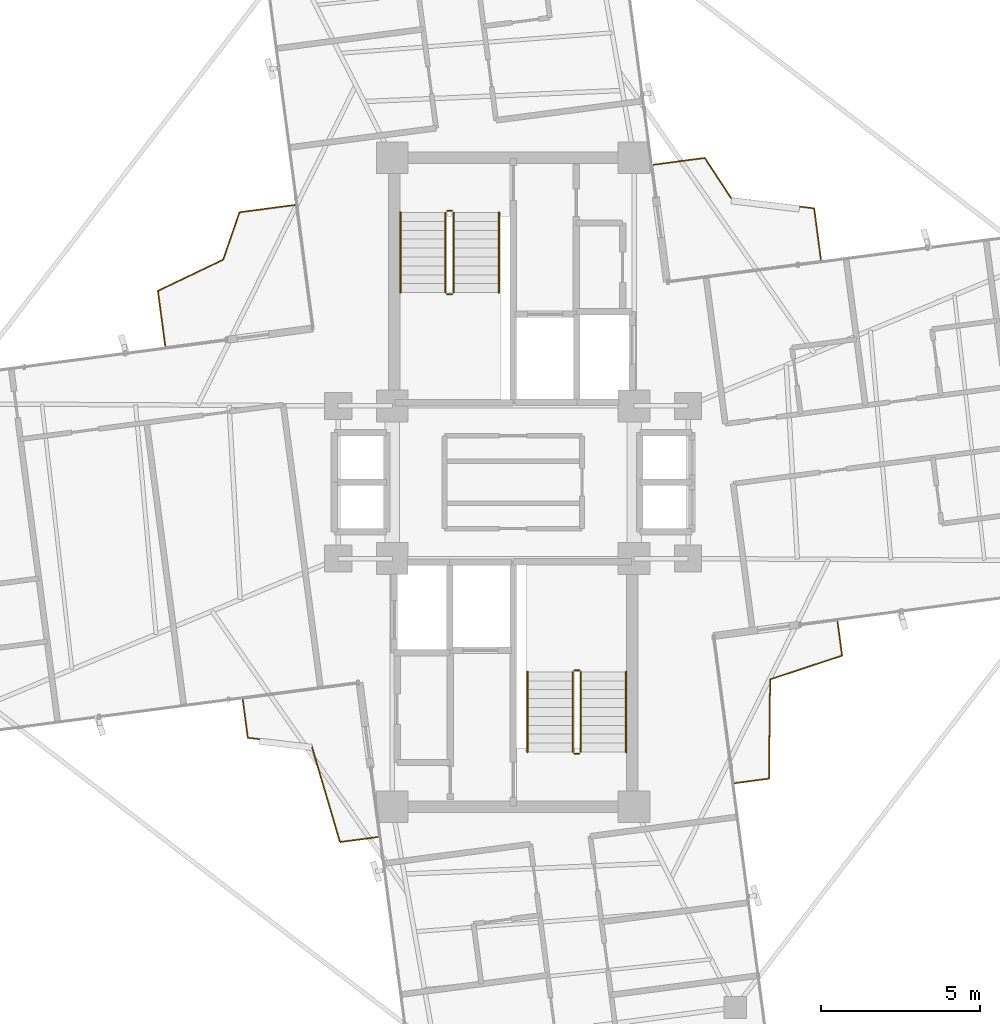
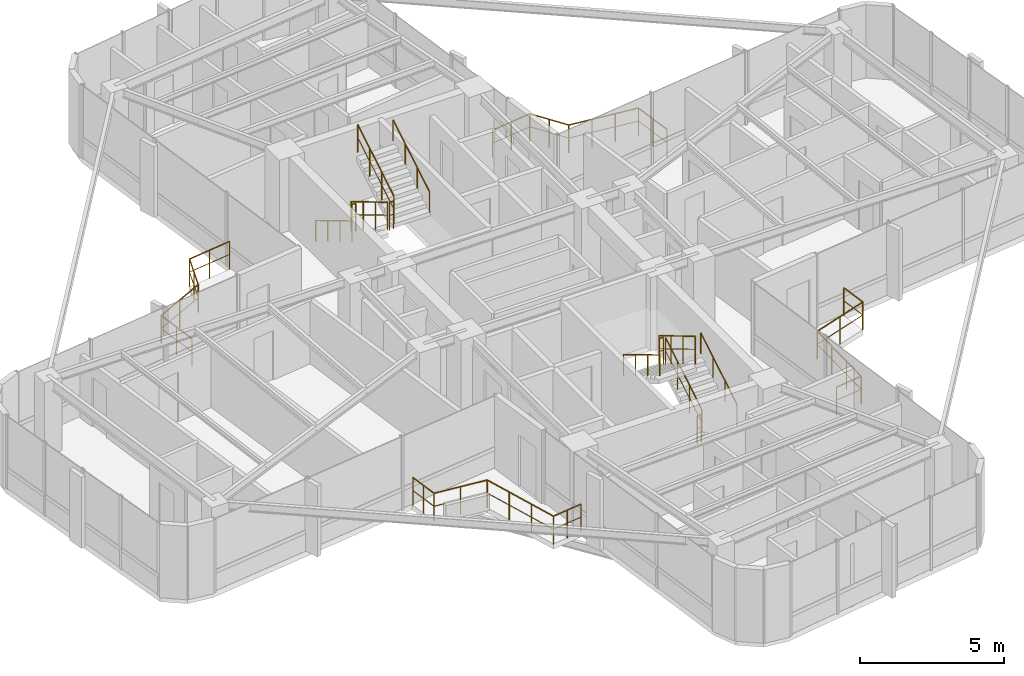
# One storey, part 22 of 22: 16 railings.
"""IFC4 building model written with IfcOpenShell, lengths in metres."""

import ifcopenshell
import ifcopenshell.guid

model = None  # the IFC model being written
_history = None  # IfcOwnerHistory: only IFC2X3 demands one
_inside = {}  # id of a spatial element -> (the spatial element, [elements in it])
_under = {}  # id of a project, library or spatial element -> (it, [spatial elements below it])
_declared = {}  # id of a project -> (the project, [libraries it declares])
_typed = {}  # id of a type object -> (the type object, [elements of that type])
_made_of = {}  # id of a material, layer set ... -> (it, [elements and type objects made of it])


def new_model(schema):
    """Start an empty IFC model of exactly this schema.

    Asked for "IFC4X3", IfcOpenShell would pick the latest addendum, in which some entities
    have other attributes; the version numbers below select the first issue.
    IFC2X3 requires an IfcOwnerHistory on every rooted entity: one is made here for all.
    """
    global model, _history
    if schema == "IFC4X3":
        model = ifcopenshell.file(schema_version=(4, 3, 0, 0))
    else:
        model = ifcopenshell.file(schema=schema)
    _inside.clear()
    _under.clear()
    _declared.clear()
    _typed.clear()
    _made_of.clear()
    _history = None
    if model.schema == "IFC2X3":
        org = make("IfcOrganization", Name="unknown")
        user = make(
            "IfcPersonAndOrganization",
            ThePerson=make("IfcPerson", FamilyName="unknown"),
            TheOrganization=org,
        )
        app = make(
            "IfcApplication",
            ApplicationDeveloper=org,
            Version="unknown",
            ApplicationFullName="unknown",
            ApplicationIdentifier="unknown",
        )
        _history = make(
            "IfcOwnerHistory",
            OwningUser=user,
            OwningApplication=app,
            ChangeAction="ADDED",
            CreationDate=0,
        )
    return model


def make(cls, **values):
    """One entity of the class cls with the attributes given. An attribute that is None is left unset."""
    return model.create_entity(
        cls, **{name: value for name, value in values.items() if value is not None}
    )


def rooted(cls, **values):
    """An entity with a GlobalId (a new one), such as an element, a storey or a relation."""
    return make(cls, GlobalId=ifcopenshell.guid.new(), OwnerHistory=_history, **values)


def si_unit(unit_type, name, prefix=None):
    """IfcSIUnit, for example si_unit("LENGTHUNIT", "METRE", prefix="MILLI")."""
    return make("IfcSIUnit", UnitType=unit_type, Prefix=prefix, Name=name)


def assignment(units):
    """IfcUnitAssignment: the units of a project."""
    return None if units is None else make("IfcUnitAssignment", Units=units)


def point(xyz):
    """IfcCartesianPoint."""
    return None if xyz is None else make("IfcCartesianPoint", Coordinates=xyz)


def direction(xyz):
    """IfcDirection."""
    return None if xyz is None else make("IfcDirection", DirectionRatios=xyz)


def frame(location, z_axis=None, x_axis=None):
    """IfcAxis2Placement3D, a coordinate frame: its origin and axes. An axis left out is left unset."""
    return make(
        "IfcAxis2Placement3D",
        Location=point(location),
        Axis=direction(z_axis),
        RefDirection=direction(x_axis),
    )


def frame_2d(location, x_axis=None):
    """IfcAxis2Placement2D, a coordinate frame in the plane: its origin and x axis."""
    return make(
        "IfcAxis2Placement2D", Location=point(location), RefDirection=direction(x_axis)
    )


def origin():
    """The frame at (0, 0, 0) with its axes left unset."""
    return frame((0.0, 0.0, 0.0))


def origin_2d():
    """The frame at (0, 0) in the plane with its x axis left unset."""
    return frame_2d((0.0, 0.0))


def place(relative_to, where):
    """IfcLocalPlacement: puts the frame where relative to a parent placement (None: the world)."""
    return make(
        "IfcLocalPlacement", PlacementRelTo=relative_to, RelativePlacement=where
    )


def context(
    kind, dimensions, precision=None, world=None, true_north=None, identifier=None
):
    """IfcGeometricRepresentationContext, for example the 3D "Model" context."""
    return make(
        "IfcGeometricRepresentationContext",
        ContextIdentifier=identifier,
        ContextType=kind,
        CoordinateSpaceDimension=dimensions,
        Precision=precision,
        WorldCoordinateSystem=world,
        TrueNorth=true_north,
    )


def subcontext(parent, identifier, kind, view, scale=None):
    """IfcGeometricRepresentationSubContext, for example "Body" below "Model"."""
    return make(
        "IfcGeometricRepresentationSubContext",
        ContextIdentifier=identifier,
        ContextType=kind,
        ParentContext=parent,
        TargetScale=scale,
        TargetView=view,
    )


def project(units=None, contexts=None):
    """IfcProject with its units and contexts."""
    return rooted(
        "IfcProject",
        Name="project",
        RepresentationContexts=contexts,
        UnitsInContext=assignment(units),
    )


def spatial(cls, under=None, at=None, **own):
    """A site, building, storey or space (cls), placed at a placement, below another one or the project."""
    s = rooted(cls, ObjectPlacement=at, **own)
    if under is not None:
        _under.setdefault(under.id(), (under, []))[1].append(s)
    return s


def profile(cls, at=None, kind="AREA", **sizes):
    """A parametric profile (cls). Its sizes go by their IFC names, for example OverallWidth=200.0."""
    return make(cls, ProfileType=kind, Position=at, **sizes)


def circle(**sizes):
    """IfcCircleProfileDef."""
    return profile("IfcCircleProfileDef", **sizes)


def extrude(swept, where, along, depth):
    """IfcExtrudedAreaSolid: the profile swept, set in the frame where, extruded along a direction by depth."""
    return make(
        "IfcExtrudedAreaSolid",
        SweptArea=swept,
        Position=where,
        ExtrudedDirection=direction(along),
        Depth=depth,
    )


def shape(context_of_items, identifier, shape_type, items):
    """IfcShapeRepresentation: the items that make up one representation, for example the "Body"."""
    return make(
        "IfcShapeRepresentation",
        ContextOfItems=context_of_items,
        RepresentationIdentifier=identifier,
        RepresentationType=shape_type,
        Items=items,
    )


def material(Name=None, Category=None):
    """IfcMaterial."""
    return make("IfcMaterial", Name=Name, Category=Category)


def made_of(thing, what):
    """Note that an element or type object is made of a material, layer set ...; save() writes the relation."""
    if what is not None:
        _made_of.setdefault(what.id(), (what, []))[1].append(thing)
    return thing


def type_object(cls, material=None, **own):
    """A type object (cls), such as IfcWallType, which elements share."""
    return made_of(rooted(cls, **own), material)


def element(
    cls,
    number,
    at=None,
    inside=None,
    cuts=None,
    type_object=None,
    material=None,
    context=None,
    identifier="Body",
    shape_type=None,
    held_by="IfcProductDefinitionShape",
    body=None,
    shapes=None,
    **own,
):
    """One element of the class cls, such as IfcWall. Its Tag is "e" and its number.

    at: its placement. inside: the storey or other place that contains it. cuts: it is an
    opening in that element (IfcRelVoidsElement). A single representation is given by context,
    identifier, shape_type and body (its items); several are given by shapes. held_by: the class
    of the entity that holds the representations. save() writes the other relations.
    """
    e = rooted(cls, Tag="e%d" % number, ObjectPlacement=at, **own)
    if body is not None:
        shapes = [shape(context, identifier, shape_type, body)]
    if shapes is not None:
        e.Representation = make(held_by, Representations=shapes)
    if inside is not None:
        _inside.setdefault(inside.id(), (inside, []))[1].append(e)
    if cuts is not None:
        rooted(
            "IfcRelVoidsElement", RelatingBuildingElement=cuts, RelatedOpeningElement=e
        )
    if type_object is not None:
        _typed.setdefault(type_object.id(), (type_object, []))[1].append(e)
    return made_of(e, material)


def aggregate(whole, parts):
    """IfcRelAggregates: a whole, such as a stair, and the parts it consists of."""
    return rooted("IfcRelAggregates", RelatingObject=whole, RelatedObjects=parts)


def save(model, path):
    """Write the relations noted so far, then the file.

    IfcRelAggregates (storeys below a building ...), IfcRelContainedInSpatialStructure (elements
    in a storey), IfcRelDefinesByType, IfcRelAssociatesMaterial and IfcRelDeclares: one each for
    every whole, place, type object, material and project.
    """
    for whole, parts in _under.values():
        aggregate(whole, parts)
    for where, things in _inside.values():
        rooted(
            "IfcRelContainedInSpatialStructure",
            RelatedElements=things,
            RelatingStructure=where,
        )
    for kind, things in _typed.values():
        rooted("IfcRelDefinesByType", RelatedObjects=things, RelatingType=kind)
    for what, things in _made_of.values():
        rooted("IfcRelAssociatesMaterial", RelatedObjects=things, RelatingMaterial=what)
    for by, libraries in _declared.values():
        rooted("IfcRelDeclares", RelatingContext=by, RelatedDefinitions=libraries)
    model.write(path)


model = new_model("IFC4")

# Units and contexts
model_context = context("Model", 3, precision=1e-05, world=origin(), true_north=direction((0.0, 1.0)))
body_context = subcontext(model_context, "Body", "Model", "MODEL_VIEW")
ifc_project = project(units=[si_unit("LENGTHUNIT", "METRE"), si_unit("AREAUNIT", "SQUARE_METRE"), si_unit("VOLUMEUNIT", "CUBIC_METRE"), si_unit("PLANEANGLEUNIT", "RADIAN"), si_unit("MASSUNIT", "GRAM", prefix="KILO")], contexts=[model_context])

# Site, building, storey
site_placement = place(None, origin())
site = spatial("IfcSite", under=ifc_project, at=site_placement, CompositionType="ELEMENT")
building_placement = place(site_placement, origin())
building = spatial("IfcBuilding", under=site, at=building_placement, Name="Sahyath Konkavel Grand Hotel", CompositionType="ELEMENT")
storey_placement = place(building_placement, frame((0.0, 0.0, 247.85009765625)))
storey = spatial("IfcBuildingStorey", under=building, at=storey_placement, Name="L69", CompositionType="ELEMENT", Elevation=247.85009765625)

# Railings
ifc_material_1 = material(Name="Anodised Bronze Aluminium", Category="aluminium")
railing_type_1 = type_object("IfcRailingType", Name="RLG-BALC-1200", PredefinedType="GUARDRAIL", material=ifc_material_1)
railing_1_placement = place(storey_placement, frame((9.673583984375, 6.99560546875, 0.0)))
element("IfcRailing", 1, at=railing_1_placement, inside=storey, type_object=railing_type_1, Name="L69 Winter-Garden Guard NE", PredefinedType="GUARDRAIL", context=body_context, shape_type="SweptSolid", body=[
    extrude(circle(Radius=0.02392578125, at=origin_2d()), frame((-0.000244140625, 0.001953125, 1.17578125), z_axis=(-0.130435121239, 0.991456846841, 0.0), x_axis=(-0.991456846841, -0.130435121239, 0.0)), (0.0, 0.0, 1.0), 1.62451171875),
    extrude(circle(Radius=0.01416015625, at=origin_2d()), frame((-0.000244140625, 0.001953125, 0.6240234375), z_axis=(-0.130435121239, 0.991456846841, 0.0), x_axis=(-0.991456846841, -0.130435121239, 0.0)), (0.0, 0.0, 1.0), 1.62451171875),
    extrude(circle(Radius=0.02392578125, at=origin_2d()), frame((-0.21435546875, 1.61474609375, 1.17578125), z_axis=(-0.992630901963, 0.12117711198, 0.0), x_axis=(-0.12117711198, -0.992630901963, 0.0)), (0.0, 0.0, 1.0), 2.625244140625),
    extrude(circle(Radius=0.01416015625, at=origin_2d()), frame((-0.21435546875, 1.61474609375, 0.6240234375), z_axis=(-0.992630901963, 0.12117711198, 0.0), x_axis=(-0.12117711198, -0.992630901963, 0.0)), (0.0, 0.0, 1.0), 2.625244140625),
    extrude(circle(Radius=0.02392578125, at=origin_2d()), frame((-2.8232421875, 1.934814453125, 1.17578125), z_axis=(-0.547683807717, 0.836685392943, 0.0), x_axis=(-0.836685392943, -0.547683807717, 0.0)), (0.0, 0.0, 1.0), 1.509765625),
    extrude(circle(Radius=0.01416015625, at=origin_2d()), frame((-2.8232421875, 1.934814453125, 0.6240234375), z_axis=(-0.547683807717, 0.836685392943, 0.0), x_axis=(-0.836685392943, -0.547683807717, 0.0)), (0.0, 0.0, 1.0), 1.509765625),
    extrude(circle(Radius=0.02392578125, at=origin_2d()), frame((-3.6533203125, 3.199462890625, 1.17578125), z_axis=(-0.991437447792, -0.130582491612, 0.0), x_axis=(0.130582491612, -0.991437447792, 0.0)), (0.0, 0.0, 1.0), 1.62451171875),
    extrude(circle(Radius=0.01416015625, at=origin_2d()), frame((-3.6533203125, 3.199462890625, 0.6240234375), z_axis=(-0.991437447792, -0.130582491612, 0.0), x_axis=(0.130582491612, -0.991437447792, 0.0)), (0.0, 0.0, 1.0), 1.62451171875),
    extrude(circle(Radius=0.02099609375, at=origin_2d()), origin(), (0.0, 0.0, 1.0), 1.15185546875),
    extrude(circle(Radius=0.02099609375, at=origin_2d()), frame((-0.106201171875, 0.80712890625, 0.0)), (0.0, 0.0, 1.0), 1.15185546875),
    extrude(circle(Radius=0.02099609375, at=origin_2d()), frame((-0.21240234375, 1.614501953125, 0.0)), (0.0, 0.0, 1.0), 1.15185546875),
    extrude(circle(Radius=0.02099609375, at=origin_2d()), frame((-1.082275390625, 1.720703125, 0.0)), (0.0, 0.0, 1.0), 1.15185546875),
    extrude(circle(Radius=0.02099609375, at=origin_2d()), frame((-1.952392578125, 1.826904296875, 0.0)), (0.0, 0.0, 1.0), 1.15185546875),
    extrude(circle(Radius=0.02099609375, at=origin_2d()), frame((-2.822265625, 1.93310546875, 0.0)), (0.0, 0.0, 1.0), 1.15185546875),
    extrude(circle(Radius=0.02099609375, at=origin_2d()), frame((-3.23681640625, 2.56640625, 0.0)), (0.0, 0.0, 1.0), 1.15185546875),
    extrude(circle(Radius=0.02099609375, at=origin_2d()), frame((-3.6513671875, 3.19970703125, 0.0)), (0.0, 0.0, 1.0), 1.15185546875),
    extrude(circle(Radius=0.02099609375, at=origin_2d()), frame((-4.45849609375, 3.09326171875, 0.0)), (0.0, 0.0, 1.0), 1.15185546875),
    extrude(circle(Radius=0.02099609375, at=origin_2d()), frame((-5.265869140625, 2.987060546875, 0.0)), (0.0, 0.0, 1.0), 1.15185546875),
])
railing_2_placement = place(storey_placement, frame((-6.869384765625, 8.716064453125, 0.0)))
element("IfcRailing", 2, at=railing_2_placement, inside=storey, type_object=railing_type_1, Name="L69 Winter-Garden Guard NW", PredefinedType="GUARDRAIL", context=body_context, shape_type="SweptSolid", body=[
    extrude(circle(Radius=0.02392578125, at=origin_2d()), frame((-0.001953125, -0.000244140625, 1.17578125), z_axis=(-0.991438619377, -0.130573596136, 0.0), x_axis=(0.130573596136, -0.991438619377, 0.0)), (0.0, 0.0, 1.0), 1.74609375),
    extrude(circle(Radius=0.01416015625, at=origin_2d()), frame((-0.001953125, -0.000244140625, 0.6240234375), z_axis=(-0.991438619377, -0.130573596136, 0.0), x_axis=(0.130573596136, -0.991438619377, 0.0)), (0.0, 0.0, 1.0), 1.74609375),
    extrude(circle(Radius=0.02392578125, at=origin_2d()), frame((-1.73583984375, -0.23046875, 1.17578125), z_axis=(-0.325871407616, -0.94541410276, 0.0), x_axis=(0.94541410276, -0.325871407616, 0.0)), (0.0, 0.0, 1.0), 1.572998046875),
    extrude(circle(Radius=0.01416015625, at=origin_2d()), frame((-1.73583984375, -0.23046875, 0.6240234375), z_axis=(-0.325871407616, -0.94541410276, 0.0), x_axis=(0.94541410276, -0.325871407616, 0.0)), (0.0, 0.0, 1.0), 1.572998046875),
    extrude(circle(Radius=0.02392578125, at=origin_2d()), frame((-2.250732421875, -1.720458984375, 1.17578125), z_axis=(-0.902255988221, -0.431200802086, 0.0), x_axis=(0.431200802086, -0.902255988221, 0.0)), (0.0, 0.0, 1.0), 2.268798828125),
    extrude(circle(Radius=0.01416015625, at=origin_2d()), frame((-2.250732421875, -1.720458984375, 0.6240234375), z_axis=(-0.902255988221, -0.431200802086, 0.0), x_axis=(0.431200802086, -0.902255988221, 0.0)), (0.0, 0.0, 1.0), 2.268798828125),
    extrude(circle(Radius=0.02392578125, at=origin_2d()), frame((-4.29931640625, -2.701416015625, 1.17578125), z_axis=(0.130573596136, -0.991438619377, 0.0), x_axis=(0.991438619377, 0.130573596136, 0.0)), (0.0, 0.0, 1.0), 1.74609375),
    extrude(circle(Radius=0.01416015625, at=origin_2d()), frame((-4.29931640625, -2.701416015625, 0.6240234375), z_axis=(0.130573596136, -0.991438619377, 0.0), x_axis=(0.991438619377, 0.130573596136, 0.0)), (0.0, 0.0, 1.0), 1.74609375),
    extrude(circle(Radius=0.02099609375, at=origin_2d()), origin(), (0.0, 0.0, 1.0), 1.15185546875),
    extrude(circle(Radius=0.02099609375, at=origin_2d()), frame((-0.86767578125, -0.1142578125, 0.0)), (0.0, 0.0, 1.0), 1.15185546875),
    extrude(circle(Radius=0.02099609375, at=origin_2d()), frame((-1.735107421875, -0.228515625, 0.0)), (0.0, 0.0, 1.0), 1.15185546875),
    extrude(circle(Radius=0.02099609375, at=origin_2d()), frame((-1.9921875, -0.97412109375, 0.0)), (0.0, 0.0, 1.0), 1.15185546875),
    extrude(circle(Radius=0.02099609375, at=origin_2d()), frame((-2.2490234375, -1.719482421875, 0.0)), (0.0, 0.0, 1.0), 1.15185546875),
    extrude(circle(Radius=0.02099609375, at=origin_2d()), frame((-3.2744140625, -2.20947265625, 0.0)), (0.0, 0.0, 1.0), 1.15185546875),
    extrude(circle(Radius=0.02099609375, at=origin_2d()), frame((-4.299560546875, -2.699462890625, 0.0)), (0.0, 0.0, 1.0), 1.15185546875),
    extrude(circle(Radius=0.02099609375, at=origin_2d()), frame((-4.185302734375, -3.56689453125, 0.0)), (0.0, 0.0, 1.0), 1.15185546875),
    extrude(circle(Radius=0.02099609375, at=origin_2d()), frame((-4.071044921875, -4.4345703125, 0.0)), (0.0, 0.0, 1.0), 1.15185546875),
])
railing_3_placement = place(storey_placement, frame((-8.501708984375, -6.84130859375, 0.0)))
element("IfcRailing", 3, at=railing_3_placement, inside=storey, type_object=railing_type_1, Name="L69 Winter-Garden Guard SW", PredefinedType="GUARDRAIL", context=body_context, shape_type="SweptSolid", body=[
    extrude(circle(Radius=0.02392578125, at=origin_2d()), frame((0.000244140625, -0.001953125, 1.17578125), z_axis=(0.130449264586, -0.991454986053, 0.0), x_axis=(0.991454986053, 0.130449264586, 0.0)), (0.0, 0.0, 1.0), 1.199462890625),
    extrude(circle(Radius=0.01416015625, at=origin_2d()), frame((0.000244140625, -0.001953125, 0.6240234375), z_axis=(0.130449264586, -0.991454986053, 0.0), x_axis=(0.991454986053, 0.130449264586, 0.0)), (0.0, 0.0, 1.0), 1.199462890625),
    extrude(circle(Radius=0.02392578125, at=origin_2d()), frame((0.158935546875, -1.193359375, 1.17578125), z_axis=(0.993338702647, -0.115231166896, 0.0), x_axis=(0.115231166896, 0.993338702647, 0.0)), (0.0, 0.0, 1.0), 2.010986328125),
    extrude(circle(Radius=0.01416015625, at=origin_2d()), frame((0.158935546875, -1.193359375, 0.6240234375), z_axis=(0.993338702647, -0.115231166896, 0.0), x_axis=(0.115231166896, 0.993338702647, 0.0)), (0.0, 0.0, 1.0), 2.010986328125),
    extrude(circle(Radius=0.02392578125, at=origin_2d()), frame((2.158935546875, -1.42724609375, 1.17578125), z_axis=(0.282411984519, -0.959293214299, 0.0), x_axis=(0.959293214299, 0.282411984519, 0.0)), (0.0, 0.0, 1.0), 3.17041015625),
    extrude(circle(Radius=0.01416015625, at=origin_2d()), frame((2.158935546875, -1.42724609375, 0.6240234375), z_axis=(0.282411984519, -0.959293214299, 0.0), x_axis=(0.959293214299, 0.282411984519, 0.0)), (0.0, 0.0, 1.0), 3.17041015625),
    extrude(circle(Radius=0.02392578125, at=origin_2d()), frame((3.056884765625, -4.47021484375, 1.17578125), z_axis=(0.991432189582, 0.130622407956, 0.0), x_axis=(-0.130622407956, 0.991432189582, 0.0)), (0.0, 0.0, 1.0), 1.19970703125),
    extrude(circle(Radius=0.01416015625, at=origin_2d()), frame((3.056884765625, -4.47021484375, 0.6240234375), z_axis=(0.991432189582, 0.130622407956, 0.0), x_axis=(-0.130622407956, 0.991432189582, 0.0)), (0.0, 0.0, 1.0), 1.19970703125),
    extrude(circle(Radius=0.02099609375, at=origin_2d()), origin(), (0.0, 0.0, 1.0), 1.15185546875),
    extrude(circle(Radius=0.02099609375, at=origin_2d()), frame((0.07861328125, -0.5966796875, 0.0)), (0.0, 0.0, 1.0), 1.15185546875),
    extrude(circle(Radius=0.02099609375, at=origin_2d()), frame((0.156982421875, -1.193115234375, 0.0)), (0.0, 0.0, 1.0), 1.15185546875),
    extrude(circle(Radius=0.02099609375, at=origin_2d()), frame((1.15771484375, -1.30908203125, 0.0)), (0.0, 0.0, 1.0), 1.15185546875),
    extrude(circle(Radius=0.02099609375, at=origin_2d()), frame((2.158447265625, -1.42529296875, 0.0)), (0.0, 0.0, 1.0), 1.15185546875),
    extrude(circle(Radius=0.02099609375, at=origin_2d()), frame((2.457275390625, -2.4404296875, 0.0)), (0.0, 0.0, 1.0), 1.15185546875),
    extrude(circle(Radius=0.02099609375, at=origin_2d()), frame((2.756103515625, -3.455322265625, 0.0)), (0.0, 0.0, 1.0), 1.15185546875),
    extrude(circle(Radius=0.02099609375, at=origin_2d()), frame((3.054931640625, -4.470458984375, 0.0)), (0.0, 0.0, 1.0), 1.15185546875),
    extrude(circle(Radius=0.02099609375, at=origin_2d()), frame((3.651611328125, -4.391845703125, 0.0)), (0.0, 0.0, 1.0), 1.15185546875),
    extrude(circle(Radius=0.02099609375, at=origin_2d()), frame((4.248291015625, -4.313232421875, 0.0)), (0.0, 0.0, 1.0), 1.15185546875),
])
railing_4_placement = place(storey_placement, frame((6.96728515625, -9.45947265625, 0.0)))
element("IfcRailing", 4, at=railing_4_placement, inside=storey, type_object=railing_type_1, Name="L69 Winter-Garden Guard SE", PredefinedType="GUARDRAIL", context=body_context, shape_type="SweptSolid", body=[
    extrude(circle(Radius=0.02392578125, at=origin_2d()), frame((0.001953125, 0.000244140625, 1.17578125), z_axis=(0.991458902942, 0.130419491557, 0.0), x_axis=(-0.130419491557, 0.991458902942, 0.0)), (0.0, 0.0, 1.0), 1.077880859375),
    extrude(circle(Radius=0.01416015625, at=origin_2d()), frame((0.001953125, 0.000244140625, 0.6240234375), z_axis=(0.991458902942, 0.130419491557, 0.0), x_axis=(-0.130419491557, 0.991458902942, 0.0)), (0.0, 0.0, 1.0), 1.077880859375),
    extrude(circle(Radius=0.02392578125, at=origin_2d()), frame((1.07275390625, 0.14306640625, 1.17578125), z_axis=(0.011890882002, 0.999929300963, 0.0), x_axis=(-0.999929300963, 0.011890882002, 0.0)), (0.0, 0.0, 1.0), 3.116943359375),
    extrude(circle(Radius=0.01416015625, at=origin_2d()), frame((1.07275390625, 0.14306640625, 0.6240234375), z_axis=(0.011890882002, 0.999929300963, 0.0), x_axis=(-0.999929300963, 0.011890882002, 0.0)), (0.0, 0.0, 1.0), 3.116943359375),
    extrude(circle(Radius=0.02392578125, at=origin_2d()), frame((1.11181640625, 3.262451171875, 1.17578125), z_axis=(0.949693630686, 0.313180471668, 0.0), x_axis=(-0.313180471668, 0.949693630686, 0.0)), (0.0, 0.0, 1.0), 2.376708984375),
    extrude(circle(Radius=0.01416015625, at=origin_2d()), frame((1.11181640625, 3.262451171875, 0.6240234375), z_axis=(0.949693630686, 0.313180471668, 0.0), x_axis=(-0.313180471668, 0.949693630686, 0.0)), (0.0, 0.0, 1.0), 2.376708984375),
    extrude(circle(Radius=0.02392578125, at=origin_2d()), frame((3.37060546875, 4.00927734375, 1.17578125), z_axis=(-0.130641283066, 0.99142970258, 0.0), x_axis=(-0.99142970258, -0.130641283066, 0.0)), (0.0, 0.0, 1.0), 1.078125),
    extrude(circle(Radius=0.01416015625, at=origin_2d()), frame((3.37060546875, 4.00927734375, 0.6240234375), z_axis=(-0.130641283066, 0.99142970258, 0.0), x_axis=(-0.99142970258, -0.130641283066, 0.0)), (0.0, 0.0, 1.0), 1.078125),
    extrude(circle(Radius=0.02099609375, at=origin_2d()), origin(), (0.0, 0.0, 1.0), 1.15185546875),
    extrude(circle(Radius=0.02099609375, at=origin_2d()), frame((1.07275390625, 0.14111328125, 0.0)), (0.0, 0.0, 1.0), 1.15185546875),
    extrude(circle(Radius=0.02099609375, at=origin_2d()), frame((1.085205078125, 1.181396484375, 0.0)), (0.0, 0.0, 1.0), 1.15185546875),
    extrude(circle(Radius=0.02099609375, at=origin_2d()), frame((1.097412109375, 2.221435546875, 0.0)), (0.0, 0.0, 1.0), 1.15185546875),
    extrude(circle(Radius=0.02099609375, at=origin_2d()), frame((1.10986328125, 3.26171875, 0.0)), (0.0, 0.0, 1.0), 1.15185546875),
    extrude(circle(Radius=0.02099609375, at=origin_2d()), frame((2.240234375, 3.634521484375, 0.0)), (0.0, 0.0, 1.0), 1.15185546875),
    extrude(circle(Radius=0.02099609375, at=origin_2d()), frame((3.370849609375, 4.00732421875, 0.0)), (0.0, 0.0, 1.0), 1.15185546875),
    extrude(circle(Radius=0.02099609375, at=origin_2d()), frame((3.2294921875, 5.080078125, 0.0)), (0.0, 0.0, 1.0), 1.15185546875),
])
ifc_material_2 = material(Name="Steel E350", Category="steel")
railing_type_2 = type_object("IfcRailingType", Name="RLG-STAIR-GRD", PredefinedType="GUARDRAIL", material=ifc_material_2)
railing_5_placement = place(storey_placement, frame((-2.1298828125, 8.47998046875, 0.16748046875)))
element("IfcRailing", 5, at=railing_5_placement, inside=storey, type_object=railing_type_2, Name="L69 ST-1 stair guard 1", PredefinedType="GUARDRAIL", context=body_context, shape_type="SweptSolid", body=[
    extrude(circle(Radius=0.02392578125, at=origin_2d()), frame((0.0, -0.001708984375, 1.177001953125), z_axis=(0.0, -0.858196387827, 0.513321497621), x_axis=(1.0, 0.0, 0.0)), (0.0, 0.0, 1.0), 2.932373046875),
    extrude(circle(Radius=0.01416015625, at=origin_2d()), frame((0.0, -0.001708984375, 0.625), z_axis=(0.0, -0.858196387827, 0.513321497621), x_axis=(1.0, 0.0, 0.0)), (0.0, 0.0, 1.0), 2.932373046875),
    extrude(circle(Radius=0.02099609375, at=origin_2d()), origin(), (0.0, 0.0, 1.0), 1.15185546875),
    extrude(circle(Radius=0.02099609375, at=origin_2d()), frame((0.0, -0.840087890625, 0.50244140625)), (0.0, 0.0, 1.0), 1.15185546875),
    extrude(circle(Radius=0.02099609375, at=origin_2d()), frame((0.0, -1.679931640625, 1.0048828125)), (0.0, 0.0, 1.0), 1.15185546875),
    extrude(circle(Radius=0.02099609375, at=origin_2d()), frame((0.0, -2.52001953125, 1.50732421875)), (0.0, 0.0, 1.0), 1.15185546875),
])
railing_6_placement = place(storey_placement, frame((-2.080078125, 5.909912109375, 1.6748046875)))
element("IfcRailing", 6, at=railing_6_placement, inside=storey, type_object=railing_type_2, Name="L69 ST-1 stair guard 2", PredefinedType="GUARDRAIL", context=body_context, shape_type="SweptSolid", body=[
    extrude(circle(Radius=0.02392578125, at=origin_2d()), frame((0.001953125, 0.0, 1.17578125), z_axis=(1.0, 0.0, 0.0), x_axis=(0.0, 1.0, 0.0)), (0.0, 0.0, 1.0), 0.15625),
    extrude(circle(Radius=0.01416015625, at=origin_2d()), frame((0.001953125, 0.0, 0.6240234375), z_axis=(1.0, 0.0, 0.0), x_axis=(0.0, 1.0, 0.0)), (0.0, 0.0, 1.0), 0.15625),
    extrude(circle(Radius=0.02099609375, at=origin_2d()), origin(), (0.0, 0.0, 1.0), 1.15185546875),
    extrude(circle(Radius=0.02099609375, at=origin_2d()), frame((0.16015625, 0.0, 0.0)), (0.0, 0.0, 1.0), 1.15185546875),
])
railing_7_placement = place(storey_placement, frame((-1.8701171875, 5.9599609375, 1.84228515625)))
element("IfcRailing", 7, at=railing_7_placement, inside=storey, type_object=railing_type_2, Name="L69 ST-1 stair guard 3", PredefinedType="GUARDRAIL", context=body_context, shape_type="SweptSolid", body=[
    extrude(circle(Radius=0.02392578125, at=origin_2d()), frame((0.0, 0.001708984375, 1.177001953125), z_axis=(0.0, 0.858159760407, 0.513382728203), x_axis=(-1.0, 0.0, 0.0)), (0.0, 0.0, 1.0), 2.9326171875),
    extrude(circle(Radius=0.01416015625, at=origin_2d()), frame((0.0, 0.001708984375, 0.625), z_axis=(0.0, 0.858159760407, 0.513382728203), x_axis=(-1.0, 0.0, 0.0)), (0.0, 0.0, 1.0), 2.9326171875),
    extrude(circle(Radius=0.02099609375, at=origin_2d()), origin(), (0.0, 0.0, 1.0), 1.15185546875),
    extrude(circle(Radius=0.02099609375, at=origin_2d()), frame((0.0, 0.840087890625, 0.50244140625)), (0.0, 0.0, 1.0), 1.15185546875),
    extrude(circle(Radius=0.02099609375, at=origin_2d()), frame((0.0, 1.679931640625, 1.005126953125)), (0.0, 0.0, 1.0), 1.15185546875),
    extrude(circle(Radius=0.02099609375, at=origin_2d()), frame((0.0, 2.52001953125, 1.507568359375)), (0.0, 0.0, 1.0), 1.15185546875),
])
railing_8_placement = place(storey_placement, frame((-2.080078125, 8.530029296875, 0.0)))
element("IfcRailing", 8, at=railing_8_placement, inside=storey, type_object=railing_type_2, Name="L69 ST-1 stair guard 4", PredefinedType="GUARDRAIL", context=body_context, shape_type="SweptSolid", body=[
    extrude(circle(Radius=0.02392578125, at=origin_2d()), frame((0.001953125, 0.0, 1.17578125), z_axis=(1.0, 0.0, 0.0), x_axis=(0.0, 1.0, 0.0)), (0.0, 0.0, 1.0), 0.15625),
    extrude(circle(Radius=0.01416015625, at=origin_2d()), frame((0.001953125, 0.0, 0.6240234375), z_axis=(1.0, 0.0, 0.0), x_axis=(0.0, 1.0, 0.0)), (0.0, 0.0, 1.0), 0.15625),
    extrude(circle(Radius=0.02099609375, at=origin_2d()), origin(), (0.0, 0.0, 1.0), 1.15185546875),
    extrude(circle(Radius=0.02099609375, at=origin_2d()), frame((0.16015625, 0.0, 0.0)), (0.0, 0.0, 1.0), 1.15185546875),
])
railing_9_placement = place(storey_placement, frame((2.1298828125, -8.47998046875, 0.16748046875)))
element("IfcRailing", 9, at=railing_9_placement, inside=storey, type_object=railing_type_2, Name="L69 ST-2 stair guard 1", PredefinedType="GUARDRAIL", context=body_context, shape_type="SweptSolid", body=[
    extrude(circle(Radius=0.02392578125, at=origin_2d()), frame((0.0, 0.001708984375, 1.177001953125), z_axis=(0.0, 0.858196387827, 0.513321497621), x_axis=(-1.0, 0.0, 0.0)), (0.0, 0.0, 1.0), 2.932373046875),
    extrude(circle(Radius=0.01416015625, at=origin_2d()), frame((0.0, 0.001708984375, 0.625), z_axis=(0.0, 0.858196387827, 0.513321497621), x_axis=(-1.0, 0.0, 0.0)), (0.0, 0.0, 1.0), 2.932373046875),
    extrude(circle(Radius=0.02099609375, at=origin_2d()), origin(), (0.0, 0.0, 1.0), 1.15185546875),
    extrude(circle(Radius=0.02099609375, at=origin_2d()), frame((0.0, 0.840087890625, 0.50244140625)), (0.0, 0.0, 1.0), 1.15185546875),
    extrude(circle(Radius=0.02099609375, at=origin_2d()), frame((0.0, 1.679931640625, 1.0048828125)), (0.0, 0.0, 1.0), 1.15185546875),
    extrude(circle(Radius=0.02099609375, at=origin_2d()), frame((0.0, 2.52001953125, 1.50732421875)), (0.0, 0.0, 1.0), 1.15185546875),
])
railing_10_placement = place(storey_placement, frame((2.080078125, -5.909912109375, 1.6748046875)))
element("IfcRailing", 10, at=railing_10_placement, inside=storey, type_object=railing_type_2, Name="L69 ST-2 stair guard 2", PredefinedType="GUARDRAIL", context=body_context, shape_type="SweptSolid", body=[
    extrude(circle(Radius=0.02392578125, at=origin_2d()), frame((-0.001953125, 0.0, 1.17578125), z_axis=(-1.0, 0.0, 0.0), x_axis=(0.0, -1.0, 0.0)), (0.0, 0.0, 1.0), 0.15625),
    extrude(circle(Radius=0.01416015625, at=origin_2d()), frame((-0.001953125, 0.0, 0.6240234375), z_axis=(-1.0, 0.0, 0.0), x_axis=(0.0, -1.0, 0.0)), (0.0, 0.0, 1.0), 0.15625),
    extrude(circle(Radius=0.02099609375, at=origin_2d()), origin(), (0.0, 0.0, 1.0), 1.15185546875),
    extrude(circle(Radius=0.02099609375, at=origin_2d()), frame((-0.16015625, 0.0, 0.0)), (0.0, 0.0, 1.0), 1.15185546875),
])
railing_11_placement = place(storey_placement, frame((1.8701171875, -5.9599609375, 1.84228515625)))
element("IfcRailing", 11, at=railing_11_placement, inside=storey, type_object=railing_type_2, Name="L69 ST-2 stair guard 3", PredefinedType="GUARDRAIL", context=body_context, shape_type="SweptSolid", body=[
    extrude(circle(Radius=0.02392578125, at=origin_2d()), frame((0.0, -0.001708984375, 1.177001953125), z_axis=(0.0, -0.858159760407, 0.513382728203), x_axis=(1.0, 0.0, 0.0)), (0.0, 0.0, 1.0), 2.9326171875),
    extrude(circle(Radius=0.01416015625, at=origin_2d()), frame((0.0, -0.001708984375, 0.625), z_axis=(0.0, -0.858159760407, 0.513382728203), x_axis=(1.0, 0.0, 0.0)), (0.0, 0.0, 1.0), 2.9326171875),
    extrude(circle(Radius=0.02099609375, at=origin_2d()), origin(), (0.0, 0.0, 1.0), 1.15185546875),
    extrude(circle(Radius=0.02099609375, at=origin_2d()), frame((0.0, -0.840087890625, 0.50244140625)), (0.0, 0.0, 1.0), 1.15185546875),
    extrude(circle(Radius=0.02099609375, at=origin_2d()), frame((0.0, -1.679931640625, 1.005126953125)), (0.0, 0.0, 1.0), 1.15185546875),
    extrude(circle(Radius=0.02099609375, at=origin_2d()), frame((0.0, -2.52001953125, 1.507568359375)), (0.0, 0.0, 1.0), 1.15185546875),
])
railing_12_placement = place(storey_placement, frame((2.080078125, -8.530029296875, 0.0)))
element("IfcRailing", 12, at=railing_12_placement, inside=storey, type_object=railing_type_2, Name="L69 ST-2 stair guard 4", PredefinedType="GUARDRAIL", context=body_context, shape_type="SweptSolid", body=[
    extrude(circle(Radius=0.02392578125, at=origin_2d()), frame((-0.001953125, 0.0, 1.17578125), z_axis=(-1.0, 0.0, 0.0), x_axis=(0.0, -1.0, 0.0)), (0.0, 0.0, 1.0), 0.15625),
    extrude(circle(Radius=0.01416015625, at=origin_2d()), frame((-0.001953125, 0.0, 0.6240234375), z_axis=(-1.0, 0.0, 0.0), x_axis=(0.0, -1.0, 0.0)), (0.0, 0.0, 1.0), 0.15625),
    extrude(circle(Radius=0.02099609375, at=origin_2d()), origin(), (0.0, 0.0, 1.0), 1.15185546875),
    extrude(circle(Radius=0.02099609375, at=origin_2d()), frame((-0.16015625, 0.0, 0.0)), (0.0, 0.0, 1.0), 1.15185546875),
])
railing_type_3 = type_object("IfcRailingType", Name="RLG-STAIR-HND", PredefinedType="HANDRAIL", material=ifc_material_1)
railing_13_placement = place(storey_placement, frame((-3.550048828125, 8.47998046875, 0.16748046875)))
element("IfcRailing", 13, at=railing_13_placement, inside=storey, type_object=railing_type_3, Name="L69 ST-1 stair handrail 1", PredefinedType="HANDRAIL", context=body_context, shape_type="SweptSolid", body=[
    extrude(circle(Radius=0.02392578125, at=origin_2d()), frame((0.0, -0.001708984375, 0.876953125), z_axis=(0.0, -0.858196387827, 0.513321497621), x_axis=(1.0, 0.0, 0.0)), (0.0, 0.0, 1.0), 2.932373046875),
    extrude(circle(Radius=0.02099609375, at=origin_2d()), origin(), (0.0, 0.0, 1.0), 0.851806640625),
    extrude(circle(Radius=0.02099609375, at=origin_2d()), frame((0.0, -0.840087890625, 0.50244140625)), (0.0, 0.0, 1.0), 0.851806640625),
    extrude(circle(Radius=0.02099609375, at=origin_2d()), frame((0.0, -1.679931640625, 1.0048828125)), (0.0, 0.0, 1.0), 0.851806640625),
    extrude(circle(Radius=0.02099609375, at=origin_2d()), frame((0.0, -2.52001953125, 1.50732421875)), (0.0, 0.0, 1.0), 0.851806640625),
])
railing_14_placement = place(storey_placement, frame((-0.449951171875, 5.9599609375, 1.84228515625)))
element("IfcRailing", 14, at=railing_14_placement, inside=storey, type_object=railing_type_3, Name="L69 ST-1 stair handrail 2", PredefinedType="HANDRAIL", context=body_context, shape_type="SweptSolid", body=[
    extrude(circle(Radius=0.02392578125, at=origin_2d()), frame((0.0, 0.001708984375, 0.876953125), z_axis=(0.0, 0.858159760407, 0.513382728203), x_axis=(-1.0, 0.0, 0.0)), (0.0, 0.0, 1.0), 2.9326171875),
    extrude(circle(Radius=0.02099609375, at=origin_2d()), origin(), (0.0, 0.0, 1.0), 0.851806640625),
    extrude(circle(Radius=0.02099609375, at=origin_2d()), frame((0.0, 0.840087890625, 0.50244140625)), (0.0, 0.0, 1.0), 0.851806640625),
    extrude(circle(Radius=0.02099609375, at=origin_2d()), frame((0.0, 1.679931640625, 1.005126953125)), (0.0, 0.0, 1.0), 0.851806640625),
    extrude(circle(Radius=0.02099609375, at=origin_2d()), frame((0.0, 2.52001953125, 1.507568359375)), (0.0, 0.0, 1.0), 0.851806640625),
])
railing_15_placement = place(storey_placement, frame((3.550048828125, -8.47998046875, 0.16748046875)))
element("IfcRailing", 15, at=railing_15_placement, inside=storey, type_object=railing_type_3, Name="L69 ST-2 stair handrail 1", PredefinedType="HANDRAIL", context=body_context, shape_type="SweptSolid", body=[
    extrude(circle(Radius=0.02392578125, at=origin_2d()), frame((0.0, 0.001708984375, 0.876953125), z_axis=(0.0, 0.858196387827, 0.513321497621), x_axis=(-1.0, 0.0, 0.0)), (0.0, 0.0, 1.0), 2.932373046875),
    extrude(circle(Radius=0.02099609375, at=origin_2d()), origin(), (0.0, 0.0, 1.0), 0.851806640625),
    extrude(circle(Radius=0.02099609375, at=origin_2d()), frame((0.0, 0.840087890625, 0.50244140625)), (0.0, 0.0, 1.0), 0.851806640625),
    extrude(circle(Radius=0.02099609375, at=origin_2d()), frame((0.0, 1.679931640625, 1.0048828125)), (0.0, 0.0, 1.0), 0.851806640625),
    extrude(circle(Radius=0.02099609375, at=origin_2d()), frame((0.0, 2.52001953125, 1.50732421875)), (0.0, 0.0, 1.0), 0.851806640625),
])
railing_16_placement = place(storey_placement, frame((0.449951171875, -5.9599609375, 1.84228515625)))
element("IfcRailing", 16, at=railing_16_placement, inside=storey, type_object=railing_type_3, Name="L69 ST-2 stair handrail 2", PredefinedType="HANDRAIL", context=body_context, shape_type="SweptSolid", body=[
    extrude(circle(Radius=0.02392578125, at=origin_2d()), frame((0.0, -0.001708984375, 0.876953125), z_axis=(0.0, -0.858159760407, 0.513382728203), x_axis=(1.0, 0.0, 0.0)), (0.0, 0.0, 1.0), 2.9326171875),
    extrude(circle(Radius=0.02099609375, at=origin_2d()), origin(), (0.0, 0.0, 1.0), 0.851806640625),
    extrude(circle(Radius=0.02099609375, at=origin_2d()), frame((0.0, -0.840087890625, 0.50244140625)), (0.0, 0.0, 1.0), 0.851806640625),
    extrude(circle(Radius=0.02099609375, at=origin_2d()), frame((0.0, -1.679931640625, 1.005126953125)), (0.0, 0.0, 1.0), 0.851806640625),
    extrude(circle(Radius=0.02099609375, at=origin_2d()), frame((0.0, -2.52001953125, 1.507568359375)), (0.0, 0.0, 1.0), 0.851806640625),
])

save(model, "model.ifc")
